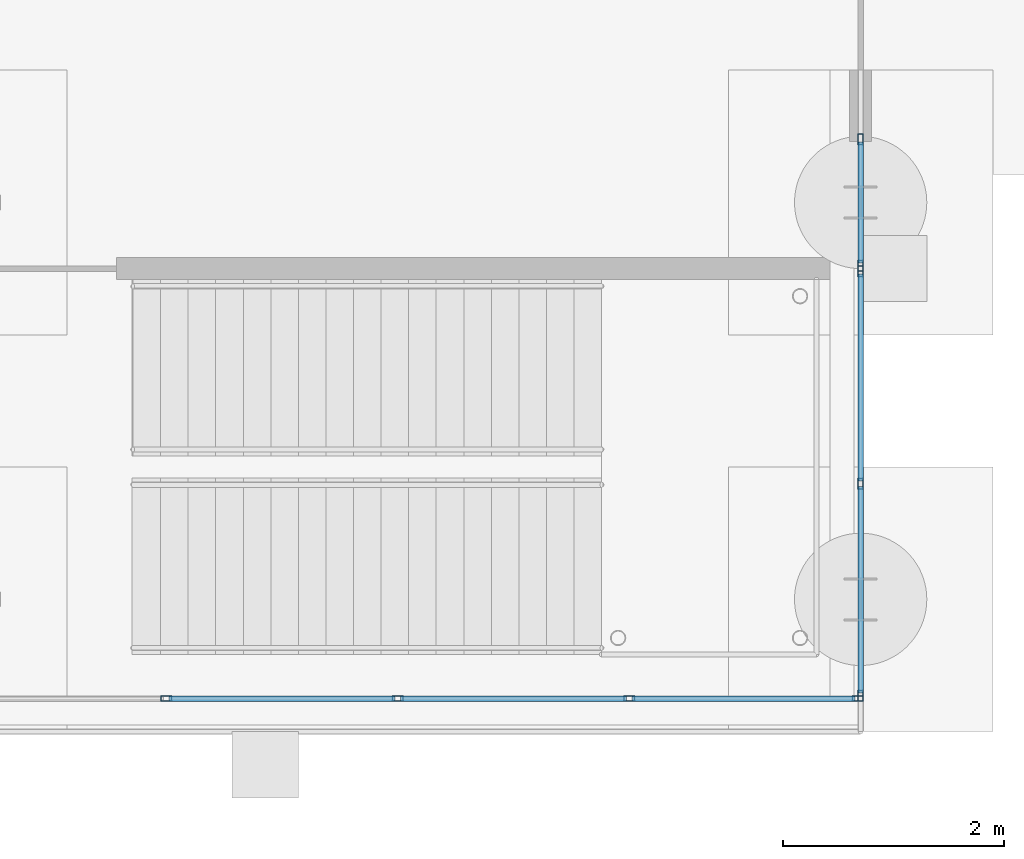
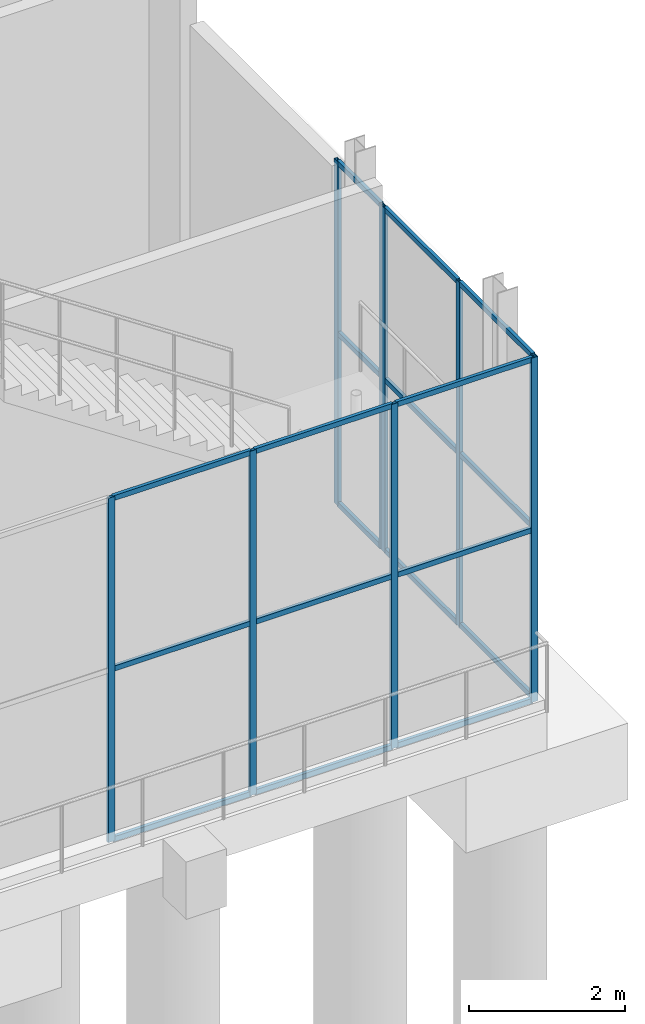
# One storey, part 127 of 212: 27 members, 3 elements without a shape of their own.
"""IFC4 building model written with IfcOpenShell, lengths in metres."""

from ifc_helpers import new_model, si_unit, direction, frame, origin, origin_2d, place, context, subcontext, project, spatial, hollow_rectangle, extrude, material, material_profile, profile_set, type_object, element, aggregate, save


model = new_model("IFC4")

# Units and contexts
model_context = context("Model", 3, precision=1e-05, world=origin(), true_north=direction((0.0, 1.0)))
body_context = subcontext(model_context, "Body", "Model", "MODEL_VIEW")
ifc_project = project(units=[si_unit("LENGTHUNIT", "METRE"), si_unit("AREAUNIT", "SQUARE_METRE"), si_unit("VOLUMEUNIT", "CUBIC_METRE"), si_unit("PLANEANGLEUNIT", "RADIAN"), si_unit("MASSUNIT", "GRAM", prefix="KILO")], contexts=[model_context])

# Site, building, storey
site_placement = place(None, origin())
site = spatial("IfcSite", under=ifc_project, at=site_placement, CompositionType="ELEMENT")
building_placement = place(site_placement, origin())
building = spatial("IfcBuilding", under=site, at=building_placement, Name="Catenary Quay Ferry Terminal", CompositionType="ELEMENT")
storey_placement = place(building_placement, origin())
storey = spatial("IfcBuildingStorey", under=building, at=storey_placement, Name="L00", CompositionType="ELEMENT", Elevation=0.0)

# Curtain wall, members
ifc_material_1 = material(Name="Aluminium and glass", Category="aluminium")
curtain_wall_type = type_object("IfcCurtainWallType", Name="CWK", PredefinedType="NOTDEFINED", material=ifc_material_1)
curtain_wall_1_placement = place(storey_placement, origin())
curtain_wall_1 = element("IfcCurtainWall", 1, at=curtain_wall_1_placement, inside=storey, type_object=curtain_wall_type, Name="Head berth 1 stair curtain wall CW76", PredefinedType="NOTDEFINED")
ifc_material_2 = material(Name="Aluminium", Category="aluminium")
ifc_material_profile_1 = material_profile(ifc_material_2, hollow_rectangle(XDim=0.050048828125, YDim=0.10009765625, WallThickness=0.0048828125, at=origin_2d()), Name="MU1")
ifc_profile_set_1 = profile_set([ifc_material_profile_1], Name="Aluminium")
member_type_1 = type_object("IfcMemberType", Name="MU1", PredefinedType="MULLION", material=ifc_profile_set_1)
member_1_placement = place(storey_placement, frame((128.10009765625, 68.699951171875, 0.0), z_axis=(0.0, 0.0, 1.0), x_axis=(0.0, 1.0, 0.0)))
member_1 = element("IfcMember", 2, at=member_1_placement, type_object=member_type_1, Name="CW76 mullion 2", PredefinedType="MULLION", context=body_context, shape_type="SweptSolid", body=[
    extrude(hollow_rectangle(XDim=0.050048828125, YDim=0.10009765625, WallThickness=0.0048828125, at=origin_2d()), origin(), (0.0, 0.0, 1.0), 5.39990234375),
])
member_2_placement = place(storey_placement, frame((130.199951171875, 68.699951171875, 0.0), z_axis=(0.0, 0.0, 1.0), x_axis=(0.0, 1.0, 0.0)))
member_2 = element("IfcMember", 3, at=member_2_placement, type_object=member_type_1, Name="CW76 mullion 3", PredefinedType="MULLION", context=body_context, shape_type="SweptSolid", body=[
    extrude(hollow_rectangle(XDim=0.050048828125, YDim=0.10009765625, WallThickness=0.0048828125, at=origin_2d()), origin(), (0.0, 0.0, 1.0), 5.39990234375),
])
member_3_placement = place(storey_placement, frame((132.300048828125, 68.699951171875, 0.0), z_axis=(0.0, 0.0, 1.0), x_axis=(0.0, 1.0, 0.0)))
member_3 = element("IfcMember", 4, at=member_3_placement, type_object=member_type_1, Name="CW76 mullion 4", PredefinedType="MULLION", context=body_context, shape_type="SweptSolid", body=[
    extrude(hollow_rectangle(XDim=0.050048828125, YDim=0.10009765625, WallThickness=0.0048828125, at=origin_2d()), origin(), (0.0, 0.0, 1.0), 5.39990234375),
])
member_4_placement = place(storey_placement, frame((134.375, 68.699951171875, 0.0), z_axis=(0.0, 0.0, 1.0), x_axis=(0.0, 1.0, 0.0)))
member_4 = element("IfcMember", 5, at=member_4_placement, type_object=member_type_1, Name="CW76 mullion 5", PredefinedType="MULLION", context=body_context, shape_type="SweptSolid", body=[
    extrude(hollow_rectangle(XDim=0.050048828125, YDim=0.10009765625, WallThickness=0.0048828125, at=origin_2d()), origin(), (0.0, 0.0, 1.0), 5.39990234375),
])

curtain_wall_2_placement = place(storey_placement, origin())
curtain_wall_2 = element("IfcCurtainWall", 6, at=curtain_wall_2_placement, inside=storey, type_object=curtain_wall_type, Name="Head berth 1 stair curtain wall CW77", PredefinedType="NOTDEFINED")
member_5_placement = place(storey_placement, frame((134.39990234375, 68.72509765625, 0.0), z_axis=(0.0, 0.0, 1.0), x_axis=(-1.0, 0.0, 0.0)))
member_5 = element("IfcMember", 7, at=member_5_placement, type_object=member_type_1, Name="CW77 mullion 1", PredefinedType="MULLION", context=body_context, shape_type="SweptSolid", body=[
    extrude(hollow_rectangle(XDim=0.050048828125, YDim=0.10009765625, WallThickness=0.0048828125, at=origin_2d()), origin(), (0.0, 0.0, 1.0), 5.39990234375),
])
member_6_placement = place(storey_placement, frame((134.39990234375, 70.64990234375, 0.0), z_axis=(0.0, 0.0, 1.0), x_axis=(-1.0, 0.0, 0.0)))
member_6 = element("IfcMember", 8, at=member_6_placement, type_object=member_type_1, Name="CW77 mullion 2", PredefinedType="MULLION", context=body_context, shape_type="SweptSolid", body=[
    extrude(hollow_rectangle(XDim=0.050048828125, YDim=0.10009765625, WallThickness=0.0048828125, at=origin_2d()), origin(), (0.0, 0.0, 1.0), 5.39990234375),
])
member_7_placement = place(storey_placement, frame((134.39990234375, 72.574951171875, 0.0), z_axis=(0.0, 0.0, 1.0), x_axis=(-1.0, 0.0, 0.0)))
member_7 = element("IfcMember", 9, at=member_7_placement, type_object=member_type_1, Name="CW77 mullion 3", PredefinedType="MULLION", context=body_context, shape_type="SweptSolid", body=[
    extrude(hollow_rectangle(XDim=0.050048828125, YDim=0.10009765625, WallThickness=0.0048828125, at=origin_2d()), origin(), (0.0, 0.0, 1.0), 5.39990234375),
])

curtain_wall_3_placement = place(storey_placement, origin())
curtain_wall_3 = element("IfcCurtainWall", 10, at=curtain_wall_3_placement, inside=storey, type_object=curtain_wall_type, Name="Head berth 1 lobby curtain wall CW79", PredefinedType="NOTDEFINED")
member_8_placement = place(storey_placement, frame((134.39990234375, 72.625, 0.0), z_axis=(0.0, 0.0, 1.0), x_axis=(-1.0, 0.0, 0.0)))
member_8 = element("IfcMember", 11, at=member_8_placement, type_object=member_type_1, Name="CW79 mullion 1", PredefinedType="MULLION", context=body_context, shape_type="SweptSolid", body=[
    extrude(hollow_rectangle(XDim=0.050048828125, YDim=0.10009765625, WallThickness=0.0048828125, at=origin_2d()), origin(), (0.0, 0.0, 1.0), 5.39990234375),
])
member_9_placement = place(storey_placement, frame((134.39990234375, 73.77490234375, 0.0), z_axis=(0.0, 0.0, 1.0), x_axis=(-1.0, 0.0, 0.0)))
member_9 = element("IfcMember", 12, at=member_9_placement, type_object=member_type_1, Name="CW79 mullion 2", PredefinedType="MULLION", context=body_context, shape_type="SweptSolid", body=[
    extrude(hollow_rectangle(XDim=0.050048828125, YDim=0.10009765625, WallThickness=0.0048828125, at=origin_2d()), origin(), (0.0, 0.0, 1.0), 5.39990234375),
])

# Member
ifc_material_3 = material(Name="Aluminium", Category="aluminium")
ifc_material_profile_2 = material_profile(ifc_material_3, hollow_rectangle(XDim=0.050048828125, YDim=0.080078125, WallThickness=0.00390625, at=origin_2d()), Name="TR1")
ifc_profile_set_2 = profile_set([ifc_material_profile_2], Name="Aluminium")
member_type_2 = type_object("IfcMemberType", Name="TR1", PredefinedType="USERDEFINED", material=ifc_profile_set_2)
member_10_placement = place(storey_placement, frame((128.125, 68.699951171875, 0.02490234375), z_axis=(1.0, 0.0, 0.0), x_axis=(0.0, 1.0, 0.0)))
member_10 = element("IfcMember", 13, at=member_10_placement, type_object=member_type_2, Name="CW76 transom 2.1", ObjectType="TRANSOM", PredefinedType="USERDEFINED", context=body_context, shape_type="SweptSolid", body=[
    extrude(hollow_rectangle(XDim=0.050048828125, YDim=0.080078125, WallThickness=0.00390625, at=origin_2d()), origin(), (0.0, 0.0, 1.0), 2.050048828125),
])

member_11_placement = place(storey_placement, frame((128.125, 68.699951171875, 2.699951171875), z_axis=(1.0, 0.0, 0.0), x_axis=(0.0, 1.0, 0.0)))
member_11 = element("IfcMember", 14, at=member_11_placement, type_object=member_type_2, Name="CW76 transom 2.2", ObjectType="TRANSOM", PredefinedType="USERDEFINED", context=body_context, shape_type="SweptSolid", body=[
    extrude(hollow_rectangle(XDim=0.050048828125, YDim=0.080078125, WallThickness=0.00390625, at=origin_2d()), origin(), (0.0, 0.0, 1.0), 2.050048828125),
])

member_12_placement = place(storey_placement, frame((128.125, 68.699951171875, 5.375), z_axis=(1.0, 0.0, 0.0), x_axis=(0.0, 1.0, 0.0)))
member_12 = element("IfcMember", 15, at=member_12_placement, type_object=member_type_2, Name="CW76 transom 2.3", ObjectType="TRANSOM", PredefinedType="USERDEFINED", context=body_context, shape_type="SweptSolid", body=[
    extrude(hollow_rectangle(XDim=0.050048828125, YDim=0.080078125, WallThickness=0.00390625, at=origin_2d()), origin(), (0.0, 0.0, 1.0), 2.050048828125),
])

member_13_placement = place(storey_placement, frame((130.22509765625, 68.699951171875, 0.02490234375), z_axis=(1.0, 0.0, 0.0), x_axis=(0.0, 1.0, 0.0)))
member_13 = element("IfcMember", 16, at=member_13_placement, type_object=member_type_2, Name="CW76 transom 3.1", ObjectType="TRANSOM", PredefinedType="USERDEFINED", context=body_context, shape_type="SweptSolid", body=[
    extrude(hollow_rectangle(XDim=0.050048828125, YDim=0.080078125, WallThickness=0.00390625, at=origin_2d()), origin(), (0.0, 0.0, 1.0), 2.0498046875),
])

member_14_placement = place(storey_placement, frame((130.22509765625, 68.699951171875, 2.699951171875), z_axis=(1.0, 0.0, 0.0), x_axis=(0.0, 1.0, 0.0)))
member_14 = element("IfcMember", 17, at=member_14_placement, type_object=member_type_2, Name="CW76 transom 3.2", ObjectType="TRANSOM", PredefinedType="USERDEFINED", context=body_context, shape_type="SweptSolid", body=[
    extrude(hollow_rectangle(XDim=0.050048828125, YDim=0.080078125, WallThickness=0.00390625, at=origin_2d()), origin(), (0.0, 0.0, 1.0), 2.0498046875),
])

member_15_placement = place(storey_placement, frame((130.22509765625, 68.699951171875, 5.375), z_axis=(1.0, 0.0, 0.0), x_axis=(0.0, 1.0, 0.0)))
member_15 = element("IfcMember", 18, at=member_15_placement, type_object=member_type_2, Name="CW76 transom 3.3", ObjectType="TRANSOM", PredefinedType="USERDEFINED", context=body_context, shape_type="SweptSolid", body=[
    extrude(hollow_rectangle(XDim=0.050048828125, YDim=0.080078125, WallThickness=0.00390625, at=origin_2d()), origin(), (0.0, 0.0, 1.0), 2.0498046875),
])

member_16_placement = place(storey_placement, frame((132.324951171875, 68.699951171875, 0.02490234375), z_axis=(1.0, 0.0, 0.0), x_axis=(0.0, 1.0, 0.0)))
member_16 = element("IfcMember", 19, at=member_16_placement, type_object=member_type_2, Name="CW76 transom 4.1", ObjectType="TRANSOM", PredefinedType="USERDEFINED", context=body_context, shape_type="SweptSolid", body=[
    extrude(hollow_rectangle(XDim=0.050048828125, YDim=0.080078125, WallThickness=0.00390625, at=origin_2d()), origin(), (0.0, 0.0, 1.0), 2.025146484375),
])

member_17_placement = place(storey_placement, frame((132.324951171875, 68.699951171875, 2.699951171875), z_axis=(1.0, 0.0, 0.0), x_axis=(0.0, 1.0, 0.0)))
member_17 = element("IfcMember", 20, at=member_17_placement, type_object=member_type_2, Name="CW76 transom 4.2", ObjectType="TRANSOM", PredefinedType="USERDEFINED", context=body_context, shape_type="SweptSolid", body=[
    extrude(hollow_rectangle(XDim=0.050048828125, YDim=0.080078125, WallThickness=0.00390625, at=origin_2d()), origin(), (0.0, 0.0, 1.0), 2.025146484375),
])

member_18_placement = place(storey_placement, frame((132.324951171875, 68.699951171875, 5.375), z_axis=(1.0, 0.0, 0.0), x_axis=(0.0, 1.0, 0.0)))
member_18 = element("IfcMember", 21, at=member_18_placement, type_object=member_type_2, Name="CW76 transom 4.3", ObjectType="TRANSOM", PredefinedType="USERDEFINED", context=body_context, shape_type="SweptSolid", body=[
    extrude(hollow_rectangle(XDim=0.050048828125, YDim=0.080078125, WallThickness=0.00390625, at=origin_2d()), origin(), (0.0, 0.0, 1.0), 2.025146484375),
])

aggregate(curtain_wall_1, [member_1, member_2, member_3, member_4, member_10, member_11, member_12, member_13, member_14, member_15, member_16, member_17, member_18])

member_19_placement = place(storey_placement, frame((134.39990234375, 68.75, 0.02490234375), z_axis=(0.0, 1.0, 0.0), x_axis=(-1.0, 0.0, 0.0)))
member_19 = element("IfcMember", 22, at=member_19_placement, type_object=member_type_2, Name="CW77 transom 1.1", ObjectType="TRANSOM", PredefinedType="USERDEFINED", context=body_context, shape_type="SweptSolid", body=[
    extrude(hollow_rectangle(XDim=0.050048828125, YDim=0.080078125, WallThickness=0.00390625, at=origin_2d()), origin(), (0.0, 0.0, 1.0), 1.875),
])

member_20_placement = place(storey_placement, frame((134.39990234375, 68.75, 2.699951171875), z_axis=(0.0, 1.0, 0.0), x_axis=(-1.0, 0.0, 0.0)))
member_20 = element("IfcMember", 23, at=member_20_placement, type_object=member_type_2, Name="CW77 transom 1.2", ObjectType="TRANSOM", PredefinedType="USERDEFINED", context=body_context, shape_type="SweptSolid", body=[
    extrude(hollow_rectangle(XDim=0.050048828125, YDim=0.080078125, WallThickness=0.00390625, at=origin_2d()), origin(), (0.0, 0.0, 1.0), 1.875),
])

member_21_placement = place(storey_placement, frame((134.39990234375, 68.75, 5.375), z_axis=(0.0, 1.0, 0.0), x_axis=(-1.0, 0.0, 0.0)))
member_21 = element("IfcMember", 24, at=member_21_placement, type_object=member_type_2, Name="CW77 transom 1.3", ObjectType="TRANSOM", PredefinedType="USERDEFINED", context=body_context, shape_type="SweptSolid", body=[
    extrude(hollow_rectangle(XDim=0.050048828125, YDim=0.080078125, WallThickness=0.00390625, at=origin_2d()), origin(), (0.0, 0.0, 1.0), 1.875),
])

member_22_placement = place(storey_placement, frame((134.39990234375, 70.675048828125, 0.02490234375), z_axis=(0.0, 1.0, 0.0), x_axis=(-1.0, 0.0, 0.0)))
member_22 = element("IfcMember", 25, at=member_22_placement, type_object=member_type_2, Name="CW77 transom 2.1", ObjectType="TRANSOM", PredefinedType="USERDEFINED", context=body_context, shape_type="SweptSolid", body=[
    extrude(hollow_rectangle(XDim=0.050048828125, YDim=0.080078125, WallThickness=0.00390625, at=origin_2d()), origin(), (0.0, 0.0, 1.0), 1.875),
])

member_23_placement = place(storey_placement, frame((134.39990234375, 70.675048828125, 2.699951171875), z_axis=(0.0, 1.0, 0.0), x_axis=(-1.0, 0.0, 0.0)))
member_23 = element("IfcMember", 26, at=member_23_placement, type_object=member_type_2, Name="CW77 transom 2.2", ObjectType="TRANSOM", PredefinedType="USERDEFINED", context=body_context, shape_type="SweptSolid", body=[
    extrude(hollow_rectangle(XDim=0.050048828125, YDim=0.080078125, WallThickness=0.00390625, at=origin_2d()), origin(), (0.0, 0.0, 1.0), 1.875),
])

member_24_placement = place(storey_placement, frame((134.39990234375, 70.675048828125, 5.375), z_axis=(0.0, 1.0, 0.0), x_axis=(-1.0, 0.0, 0.0)))
member_24 = element("IfcMember", 27, at=member_24_placement, type_object=member_type_2, Name="CW77 transom 2.3", ObjectType="TRANSOM", PredefinedType="USERDEFINED", context=body_context, shape_type="SweptSolid", body=[
    extrude(hollow_rectangle(XDim=0.050048828125, YDim=0.080078125, WallThickness=0.00390625, at=origin_2d()), origin(), (0.0, 0.0, 1.0), 1.875),
])

aggregate(curtain_wall_2, [member_5, member_6, member_7, member_19, member_20, member_21, member_22, member_23, member_24])

member_25_placement = place(storey_placement, frame((134.39990234375, 72.64990234375, 0.02490234375), z_axis=(0.0, 1.0, 0.0), x_axis=(-1.0, 0.0, 0.0)))
member_25 = element("IfcMember", 28, at=member_25_placement, type_object=member_type_2, Name="CW79 transom 1.1", ObjectType="TRANSOM", PredefinedType="USERDEFINED", context=body_context, shape_type="SweptSolid", body=[
    extrude(hollow_rectangle(XDim=0.050048828125, YDim=0.080078125, WallThickness=0.00390625, at=origin_2d()), origin(), (0.0, 0.0, 1.0), 1.10009765625),
])

member_26_placement = place(storey_placement, frame((134.39990234375, 72.64990234375, 2.699951171875), z_axis=(0.0, 1.0, 0.0), x_axis=(-1.0, 0.0, 0.0)))
member_26 = element("IfcMember", 29, at=member_26_placement, type_object=member_type_2, Name="CW79 transom 1.2", ObjectType="TRANSOM", PredefinedType="USERDEFINED", context=body_context, shape_type="SweptSolid", body=[
    extrude(hollow_rectangle(XDim=0.050048828125, YDim=0.080078125, WallThickness=0.00390625, at=origin_2d()), origin(), (0.0, 0.0, 1.0), 1.10009765625),
])

member_27_placement = place(storey_placement, frame((134.39990234375, 72.64990234375, 5.375), z_axis=(0.0, 1.0, 0.0), x_axis=(-1.0, 0.0, 0.0)))
member_27 = element("IfcMember", 30, at=member_27_placement, type_object=member_type_2, Name="CW79 transom 1.3", ObjectType="TRANSOM", PredefinedType="USERDEFINED", context=body_context, shape_type="SweptSolid", body=[
    extrude(hollow_rectangle(XDim=0.050048828125, YDim=0.080078125, WallThickness=0.00390625, at=origin_2d()), origin(), (0.0, 0.0, 1.0), 1.10009765625),
])

aggregate(curtain_wall_3, [member_8, member_9, member_25, member_26, member_27])

save(model, "model.ifc")
